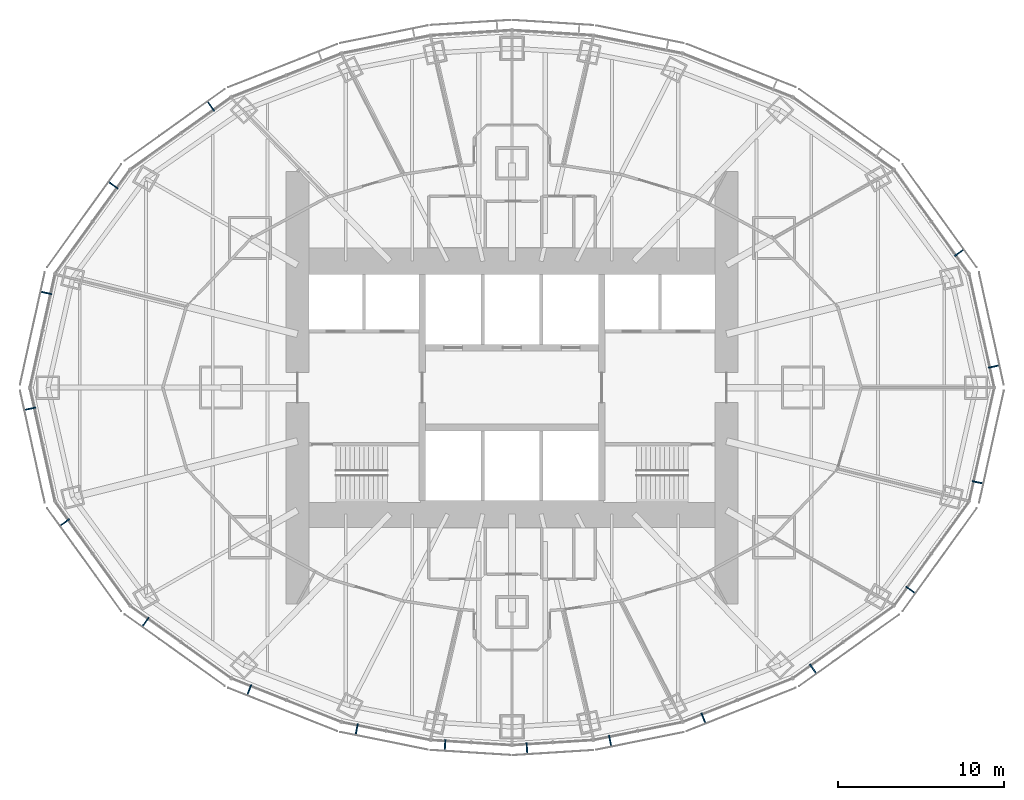
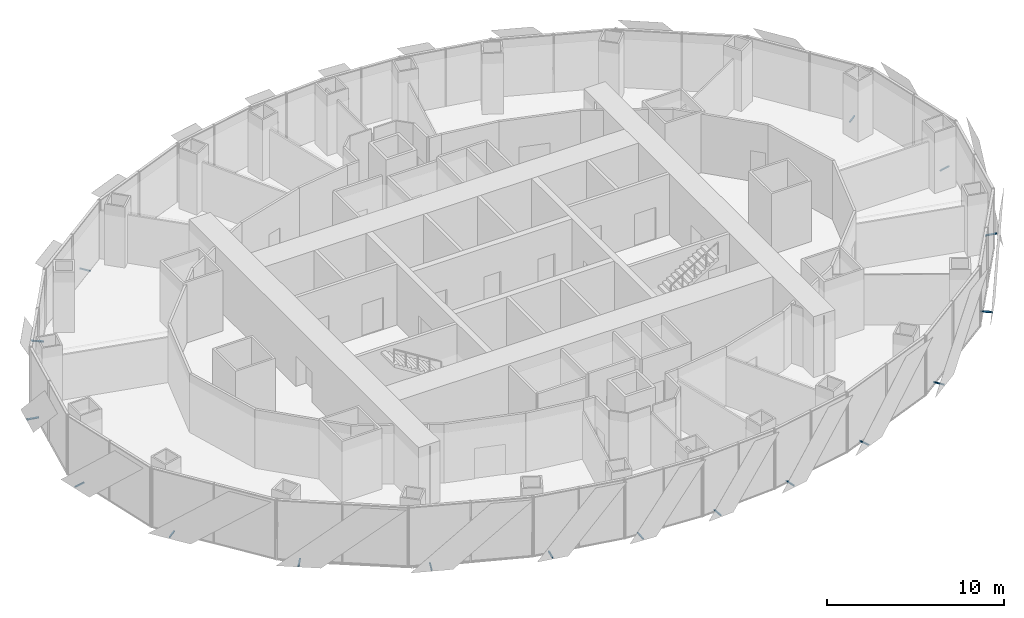
# One storey, part 14 of 18: 17 discrete accessories.
"""IFC4 building model written with IfcOpenShell, lengths in metres."""

from ifc_helpers import new_model, si_unit, direction, frame, origin, origin_2d, place, context, subcontext, project, spatial, rectangle, extrude, element, save


model = new_model("IFC4")

# Units and contexts
model_context = context("Model", 3, precision=1e-05, world=origin(), true_north=direction((0.0, 1.0)))
body_context = subcontext(model_context, "Body", "Model", "MODEL_VIEW")
ifc_project = project(units=[si_unit("LENGTHUNIT", "METRE"), si_unit("AREAUNIT", "SQUARE_METRE"), si_unit("VOLUMEUNIT", "CUBIC_METRE"), si_unit("PLANEANGLEUNIT", "RADIAN"), si_unit("MASSUNIT", "GRAM", prefix="KILO")], contexts=[model_context])

# Site, building, storey
site_placement = place(None, origin())
site = spatial("IfcSite", under=ifc_project, at=site_placement, CompositionType="ELEMENT")
building_placement = place(site_placement, origin())
building = spatial("IfcBuilding", under=site, at=building_placement, Name="Lantaw Convention Tower", CompositionType="ELEMENT")
storey_placement = place(building_placement, frame((0.0, 0.0, 146.800048828125)))
storey = spatial("IfcBuildingStorey", under=building, at=storey_placement, Name="L34", CompositionType="ELEMENT", Elevation=146.800048828125)

# Discrete accessories
for number, where, z_axis, x_axis, name in (
    (1, (28.98486328125, 1.269775390625, -0.114990234375), (0.0, 0.0, 1.0), (-0.215546166174, 0.9764936509, 0.0), "Screen bracket"),
    (2, (26.900146484375, 8.111572265625, -0.114990234375), (0.0, 0.0, 1.0), (-0.584512597221, 0.811384633629, 0.0), "Screen bracket"),
    (3, (-18.10791015625, 16.922607421875, -0.114990234375), (0.0, 0.0, 1.0), (-0.813208325995, -0.581972695693, 0.0), "Screen bracket"),
    (4, (-23.9765625, 12.169677734375, -0.114990234375), (0.0, 0.0, 1.0), (-0.584512597221, -0.811384633629, 0.0), "Screen bracket"),
    (5, (-28.008056640625, 5.6953125, -0.114990234375), (0.0, 0.0, 1.0), (-0.215546166174, -0.9764936509, 0.0), "Screen bracket"),
    (6, (-28.98486328125, -1.269775390625, -0.114990234375), (0.0, 0.0, 1.0), (0.215546166174, -0.9764936509, 0.0), "Screen bracket"),
    (7, (-26.900146484375, -8.111572265625, -0.114990234375), (0.0, 0.0, 1.0), (0.584512597221, -0.811384633629, 0.0), "Screen bracket"),
    (8, (-22.044189453125, -14.10546875, -0.114990234375), (0.0, 0.0, 1.0), (0.813208325995, -0.581972695693, 0.0), "Screen bracket"),
    (9, (-15.802978515625, -18.18798828125, -0.114990234375), (0.0, 0.0, 1.0), (0.929547687544, -0.368701907483, 0.0), "Screen bracket"),
    (10, (-9.339599609375, -20.56005859375, -0.114990234375), (0.0, 0.0, 1.0), (0.980301514912, -0.197506809659, 0.0), "Screen bracket"),
    (11, (-4.027099609375, -21.505859375, -0.114990234375), (0.0, 0.0, 1.0), (0.998022035978, -0.062865059466, 0.0), "Screen bracket"),
    (12, (0.89794921875, -21.702880859375, -0.114990234375), (0.0, 0.0, 1.0), (0.998022035978, 0.062865059466, 0.0), "Screen bracket"),
    (13, (5.903076171875, -21.25244140625, -0.114990234375), (0.0, 0.0, 1.0), (0.980301514912, 0.197506809659, 0.0), "Screen bracket"),
    (14, (11.517822265625, -19.887939453125, -0.114990234375), (0.0, 0.0, 1.0), (0.929547687544, 0.368701907483, 0.0), "Screen bracket"),
    (15, (18.10791015625, -16.922607421875, -0.114990234375), (0.0, 0.0, 1.0), (0.813208325995, 0.581972695693, 0.0), "Screen bracket"),
    (16, (23.9765625, -12.169677734375, -0.114990234375), (0.0, 0.0, 1.0), (0.584512597221, 0.811384633629, 0.0), "Screen bracket"),
    (17, (28.008056640625, -5.6953125, -0.114990234375), (0.0, 0.0, 1.0), (0.215546166174, 0.9764936509, 0.0), "Screen bracket"),
):
    element("IfcDiscreteAccessory", number, at=place(storey_placement, frame(where, z_axis=z_axis, x_axis=x_axis)), inside=storey, Name=name, PredefinedType="BRACKET", context=body_context, shape_type="SweptSolid", body=[
        extrude(rectangle(XDim=0.080078125, YDim=0.68798828125, at=origin_2d()), origin(), (0.0, 0.0, 1.0), 0.080078125),
    ])

save(model, "model.ifc")
